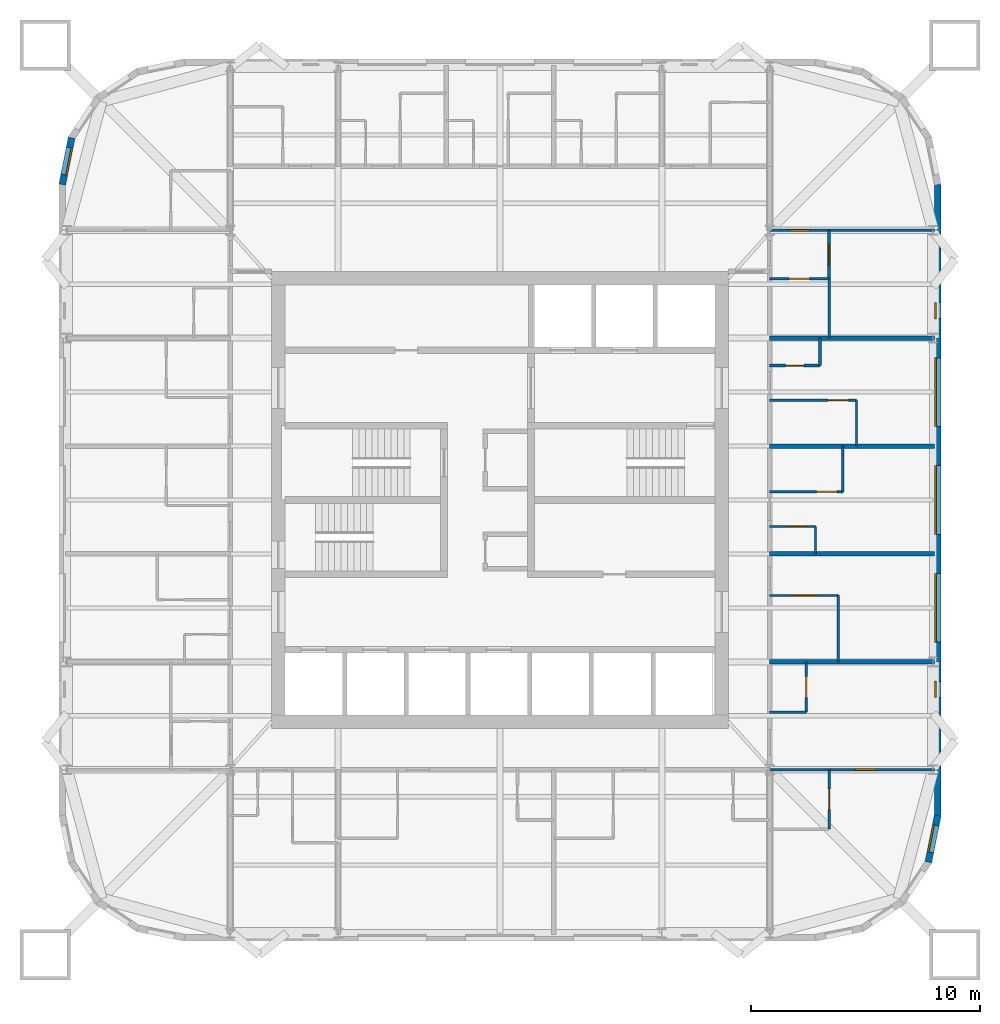
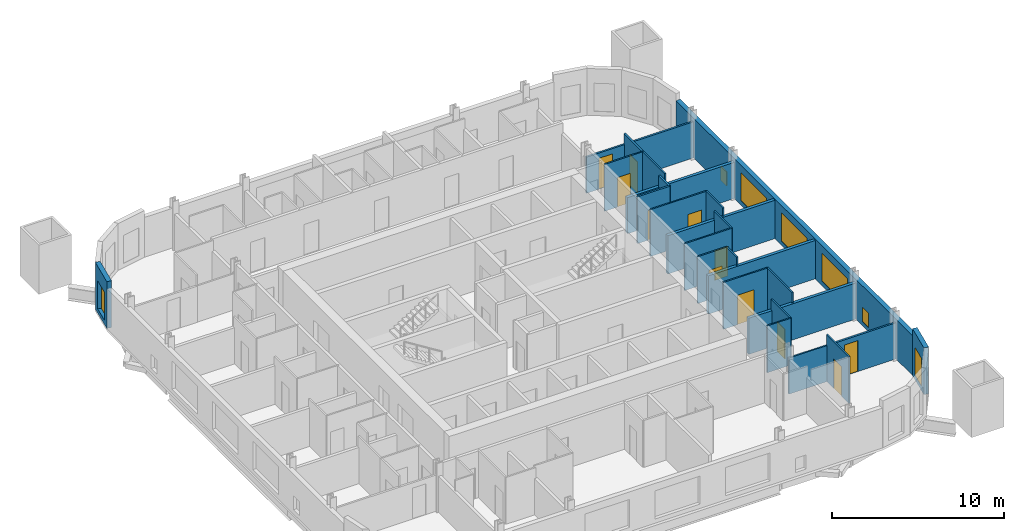
# One storey, part 6 of 9: 26 walls, 11 doors, 7 windows, 18 openings.
"""IFC4 building model written with IfcOpenShell, lengths in metres."""

from ifc_helpers import new_model, si_unit, direction, frame, frame_2d, origin, place, context, subcontext, project, spatial, rectangle, extrude, material, layer, layer_set, type_object, element, fill, save


model = new_model("IFC4")

# Units and contexts
model_context = context("Model", 3, precision=1e-05, world=origin(), true_north=direction((0.0, 1.0)))
body_context = subcontext(model_context, "Body", "Model", "MODEL_VIEW")
ifc_project = project(units=[si_unit("LENGTHUNIT", "METRE"), si_unit("AREAUNIT", "SQUARE_METRE"), si_unit("VOLUMEUNIT", "CUBIC_METRE"), si_unit("PLANEANGLEUNIT", "RADIAN"), si_unit("MASSUNIT", "GRAM", prefix="KILO")], contexts=[model_context])

# Site, building, storey
site_placement = place(None, origin())
site = spatial("IfcSite", under=ifc_project, at=site_placement, CompositionType="ELEMENT")
building_placement = place(site_placement, origin())
building = spatial("IfcBuilding", under=site, at=building_placement, Name="Turquesa Mirador Hotel Tower", CompositionType="ELEMENT")
storey_placement = place(building_placement, frame((0.0, 0.0, 175.800048828125)))
storey = spatial("IfcBuildingStorey", under=building, at=storey_placement, Name="L47", CompositionType="ELEMENT", Elevation=175.800048828125)

# Wall, opening, door
ifc_material_1 = material(Name="Gypsum board on steel studs", Category="steel")
ifc_layer_1 = layer(ifc_material_1, 0.10009765625)
ifc_layer_set_1 = layer_set([ifc_layer_1], Name="BATHROOM WALL 100")
wall_type_1 = type_object("IfcWallType", Name="BATHROOM WALL 100", PredefinedType="PARTITIONING", material=ifc_layer_set_1)
wall_1_placement = place(storey_placement, frame((66.800048828125, 43.840087890625, 0.0), z_axis=(0.0, 0.0, 1.0), x_axis=(1.0, 0.0, 0.0)))
wall_1 = element("IfcWall", 1, at=wall_1_placement, inside=storey, type_object=wall_type_1, Name="Partition L47 002", PredefinedType="PARTITIONING", context=body_context, shape_type="SweptSolid", body=[
    extrude(rectangle(XDim=2.0, YDim=0.10009765625, at=frame_2d((1.0, 0.0))), origin(), (0.0, 0.0, 1.0), 3.329833984375),
])
opening_1_placement = place(wall_1_placement, frame((0.75, 0.0, 0.0)))
opening_1 = element("IfcOpeningElement", 2, at=opening_1_placement, cuts=wall_1, Name="Opening D06", PredefinedType="OPENING", context=body_context, shape_type="SweptSolid", body=[
    extrude(rectangle(XDim=0.89990234375, YDim=2.10009765625, at=frame_2d((0.449951171875, 1.050048828125))), frame((0.0, 0.06005859375, 0.0), z_axis=(0.0, -1.0, 0.0), x_axis=(1.0, 0.0, 0.0)), (0.0, 0.0, 1.0), 0.1201171875),
])
ifc_material_2 = material(Name="Laminate door", Category="wood")
door_type_1 = type_object("IfcDoorType", Name="DOOR 900X2100 WC", OperationType="SINGLE_SWING_LEFT", PredefinedType="DOOR", material=ifc_material_2)
door_1_placement = place(opening_1_placement, origin())
door_1 = element("IfcDoor", 3, at=door_1_placement, inside=storey, type_object=door_type_1, Name="Door 4710W", OperationType="SINGLE_SWING_LEFT", OverallHeight=2.10009765625, OverallWidth=0.89990234375, PredefinedType="DOOR", context=body_context, shape_type="SweptSolid", body=[
    extrude(rectangle(XDim=0.89990234375, YDim=2.10009765625, at=frame_2d((0.449951171875, 1.050048828125))), frame((0.0, 0.02490234375, 0.0), z_axis=(0.0, -1.0, 0.0), x_axis=(1.0, 0.0, 0.0)), (0.0, 0.0, 1.0), 0.050048828125),
])
fill(opening_1, door_1)

# Wall
wall_2_placement = place(storey_placement, frame((66.800048828125, 33.199951171875, 0.0), z_axis=(0.0, 0.0, 1.0), x_axis=(1.0, 0.0, 0.0)))
element("IfcWall", 4, at=wall_2_placement, inside=storey, type_object=wall_type_1, Name="Partition L47 003", PredefinedType="PARTITIONING", context=body_context, shape_type="SweptSolid", body=[
    extrude(rectangle(XDim=2.599853515625, YDim=0.10009765625, at=frame_2d((1.2998046875, 0.0))), origin(), (0.0, 0.0, 1.0), 2.572998046875),
])

# Wall, opening, door
wall_3_placement = place(storey_placement, frame((66.800048828125, 40.820068359375, 0.0), z_axis=(0.0, 0.0, 1.0), x_axis=(1.0, 0.0, 0.0)))
wall_3 = element("IfcWall", 5, at=wall_3_placement, inside=storey, type_object=wall_type_1, Name="Partition L47 016", PredefinedType="PARTITIONING", context=body_context, shape_type="SweptSolid", body=[
    extrude(rectangle(XDim=3.0, YDim=0.10009765625, at=frame_2d((1.5, 0.0))), origin(), (0.0, 0.0, 1.0), 3.329833984375),
])
opening_2_placement = place(wall_3_placement, frame((0.949951171875, 0.0, 0.0)))
opening_2 = element("IfcOpeningElement", 6, at=opening_2_placement, cuts=wall_3, Name="Opening D16", PredefinedType="OPENING", context=body_context, shape_type="SweptSolid", body=[
    extrude(rectangle(XDim=1.10009765625, YDim=2.10009765625, at=frame_2d((0.550048828125, 1.050048828125))), frame((0.0, 0.06005859375, 0.0), z_axis=(0.0, -1.0, 0.0), x_axis=(1.0, 0.0, 0.0)), (0.0, 0.0, 1.0), 0.1201171875),
])
ifc_material_3 = material(Name="Timber veneered sliding door", Category="wood")
door_type_2 = type_object("IfcDoorType", Name="DOOR 1100X2100 ACCESSIBLE EN-SUITE", OperationType="SLIDING_TO_LEFT", PredefinedType="DOOR", material=ifc_material_3)
door_2_placement = place(opening_2_placement, origin())
door_2 = element("IfcDoor", 7, at=door_2_placement, inside=storey, type_object=door_type_2, Name="Door 4709B", OperationType="SLIDING_TO_LEFT", OverallHeight=2.10009765625, OverallWidth=1.10009765625, PredefinedType="DOOR", context=body_context, shape_type="SweptSolid", body=[
    extrude(rectangle(XDim=1.10009765625, YDim=2.10009765625, at=frame_2d((0.550048828125, 1.050048828125))), frame((0.0, 0.02490234375, 0.0), z_axis=(0.0, -1.0, 0.0), x_axis=(1.0, 0.0, 0.0)), (0.0, 0.0, 1.0), 0.050048828125),
])
fill(opening_2, door_2)

# Wall
wall_4_placement = place(storey_placement, frame((66.800048828125, 35.719970703125, 0.0), z_axis=(0.0, 0.0, 1.0), x_axis=(1.0, 0.0, 0.0)))
element("IfcWall", 8, at=wall_4_placement, inside=storey, type_object=wall_type_1, Name="Partition L47 021", PredefinedType="PARTITIONING", context=body_context, shape_type="SweptSolid", body=[
    extrude(rectangle(XDim=1.599853515625, YDim=0.10009765625, at=frame_2d((0.7998046875, 0.0))), origin(), (0.0, 0.0, 1.0), 3.329833984375),
])

# Wall, opening, door
wall_5_placement = place(storey_placement, frame((66.800048828125, 45.360107421875, 0.0), z_axis=(0.0, 0.0, 1.0), x_axis=(1.0, 0.0, 0.0)))
wall_5 = element("IfcWall", 9, at=wall_5_placement, inside=storey, type_object=wall_type_1, Name="Partition L47 023", PredefinedType="PARTITIONING", context=body_context, shape_type="SweptSolid", body=[
    extrude(rectangle(XDim=3.199951171875, YDim=0.10009765625, at=frame_2d((1.60009765625, 0.0))), origin(), (0.0, 0.0, 1.0), 3.329833984375),
])
opening_3_placement = place(wall_5_placement, frame((2.050048828125, 0.0, 0.0)))
opening_3 = element("IfcOpeningElement", 10, at=opening_3_placement, cuts=wall_5, Name="Opening D02", PredefinedType="OPENING", context=body_context, shape_type="SweptSolid", body=[
    extrude(rectangle(XDim=0.89990234375, YDim=2.10009765625, at=frame_2d((0.449951171875, 1.050048828125))), frame((0.0, 0.06005859375, 0.0), z_axis=(0.0, -1.0, 0.0), x_axis=(1.0, 0.0, 0.0)), (0.0, 0.0, 1.0), 0.1201171875),
])
ifc_material_4 = material(Name="Timber veneered door", Category="wood")
door_type_3 = type_object("IfcDoorType", Name="DOOR 900X2100 EN-SUITE", OperationType="SINGLE_SWING_RIGHT", PredefinedType="DOOR", material=ifc_material_4)
door_3_placement = place(opening_3_placement, origin())
door_3 = element("IfcDoor", 11, at=door_3_placement, inside=storey, type_object=door_type_3, Name="Door 4710B", OperationType="SINGLE_SWING_RIGHT", OverallHeight=2.10009765625, OverallWidth=0.89990234375, PredefinedType="DOOR", context=body_context, shape_type="SweptSolid", body=[
    extrude(rectangle(XDim=0.89990234375, YDim=2.10009765625, at=frame_2d((0.449951171875, 1.050048828125))), frame((0.0, 0.02490234375, 0.0), z_axis=(0.0, -1.0, 0.0), x_axis=(1.0, 0.0, 0.0)), (0.0, 0.0, 1.0), 0.050048828125),
])
fill(opening_3, door_3)

wall_6_placement = place(storey_placement, frame((66.800048828125, 49.360107421875, 0.0), z_axis=(0.0, 0.0, 1.0), x_axis=(1.0, 0.0, 0.0)))
wall_6 = element("IfcWall", 12, at=wall_6_placement, inside=storey, type_object=wall_type_1, Name="Partition L47 041", PredefinedType="PARTITIONING", context=body_context, shape_type="SweptSolid", body=[
    extrude(rectangle(XDim=3.800048828125, YDim=0.10009765625, at=frame_2d((1.89990234375, 0.0))), origin(), (0.0, 0.0, 1.0), 3.329833984375),
])
opening_4_placement = place(wall_6_placement, frame((2.550048828125, 0.0, 0.0)))
opening_4 = element("IfcOpeningElement", 13, at=opening_4_placement, cuts=wall_6, Name="Opening D02", PredefinedType="OPENING", context=body_context, shape_type="SweptSolid", body=[
    extrude(rectangle(XDim=0.89990234375, YDim=2.10009765625, at=frame_2d((0.449951171875, 1.050048828125))), frame((0.0, 0.06005859375, 0.0), z_axis=(0.0, -1.0, 0.0), x_axis=(1.0, 0.0, 0.0)), (0.0, 0.0, 1.0), 0.1201171875),
])
door_4_placement = place(opening_4_placement, origin())
door_4 = element("IfcDoor", 14, at=door_4_placement, inside=storey, type_object=door_type_3, Name="Door 4711B", OperationType="SINGLE_SWING_RIGHT", OverallHeight=2.10009765625, OverallWidth=0.89990234375, PredefinedType="DOOR", context=body_context, shape_type="SweptSolid", body=[
    extrude(rectangle(XDim=0.89990234375, YDim=2.10009765625, at=frame_2d((0.449951171875, 1.050048828125))), frame((0.0, 0.02490234375, 0.0), z_axis=(0.0, -1.0, 0.0), x_axis=(1.0, 0.0, 0.0)), (0.0, 0.0, 1.0), 0.050048828125),
])
fill(opening_4, door_4)

wall_7_placement = place(storey_placement, frame((66.800048828125, 54.679931640625, 0.0), z_axis=(0.0, 0.0, 1.0), x_axis=(1.0, 0.0, 0.0)))
wall_7 = element("IfcWall", 15, at=wall_7_placement, inside=storey, type_object=wall_type_1, Name="Partition L47 047", PredefinedType="PARTITIONING", context=body_context, shape_type="SweptSolid", body=[
    extrude(rectangle(XDim=2.599853515625, YDim=0.10009765625, at=frame_2d((1.2998046875, 0.0))), origin(), (0.0, 0.0, 1.0), 3.329833984375),
])
opening_5_placement = place(wall_7_placement, frame((0.85009765625, 0.0, 0.0)))
opening_5 = element("IfcOpeningElement", 16, at=opening_5_placement, cuts=wall_7, Name="Opening D02", PredefinedType="OPENING", context=body_context, shape_type="SweptSolid", body=[
    extrude(rectangle(XDim=0.89990234375, YDim=2.10009765625, at=frame_2d((0.449951171875, 1.050048828125))), frame((0.0, 0.06005859375, 0.0), z_axis=(0.0, -1.0, 0.0), x_axis=(1.0, 0.0, 0.0)), (0.0, 0.0, 1.0), 0.1201171875),
])
door_5_placement = place(opening_5_placement, origin())
door_5 = element("IfcDoor", 17, at=door_5_placement, inside=storey, type_object=door_type_3, Name="Door 4715B", OperationType="SINGLE_SWING_RIGHT", OverallHeight=2.10009765625, OverallWidth=0.89990234375, PredefinedType="DOOR", context=body_context, shape_type="SweptSolid", body=[
    extrude(rectangle(XDim=0.89990234375, YDim=2.10009765625, at=frame_2d((0.449951171875, 1.050048828125))), frame((0.0, 0.02490234375, 0.0), z_axis=(0.0, -1.0, 0.0), x_axis=(1.0, 0.0, 0.0)), (0.0, 0.0, 1.0), 0.050048828125),
])
fill(opening_5, door_5)

wall_8_placement = place(storey_placement, frame((68.39990234375, 35.719970703125, 0.0), z_axis=(0.0, 0.0, 1.0), x_axis=(0.0, 1.0, 0.0)))
wall_8 = element("IfcWall", 18, at=wall_8_placement, inside=storey, type_object=wall_type_1, Name="Partition L47 076", PredefinedType="PARTITIONING", context=body_context, shape_type="SweptSolid", body=[
    extrude(rectangle(XDim=2.199951171875, YDim=0.10009765625, at=frame_2d((1.10009765625, 0.0))), origin(), (0.0, 0.0, 1.0), 3.329833984375),
])
opening_6_placement = place(wall_8_placement, frame((0.64990234375, 0.0, 0.0)))
opening_6 = element("IfcOpeningElement", 19, at=opening_6_placement, cuts=wall_8, Name="Opening D06", PredefinedType="OPENING", context=body_context, shape_type="SweptSolid", body=[
    extrude(rectangle(XDim=0.89990234375, YDim=2.10009765625, at=frame_2d((0.449951171875, 1.050048828125))), frame((0.0, 0.06005859375, 0.0), z_axis=(0.0, -1.0, 0.0), x_axis=(1.0, 0.0, 0.0)), (0.0, 0.0, 1.0), 0.1201171875),
])
door_6_placement = place(opening_6_placement, origin())
door_6 = element("IfcDoor", 20, at=door_6_placement, inside=storey, type_object=door_type_1, Name="Door 4718W", OperationType="SINGLE_SWING_LEFT", OverallHeight=2.10009765625, OverallWidth=0.89990234375, PredefinedType="DOOR", context=body_context, shape_type="SweptSolid", body=[
    extrude(rectangle(XDim=0.89990234375, YDim=2.10009765625, at=frame_2d((0.449951171875, 1.050048828125))), frame((0.0, 0.02490234375, 0.0), z_axis=(0.0, -1.0, 0.0), x_axis=(1.0, 0.0, 0.0)), (0.0, 0.0, 1.0), 0.050048828125),
])
fill(opening_6, door_6)

# Wall
wall_9_placement = place(storey_placement, frame((68.800048828125, 42.639892578125, 0.0), z_axis=(0.0, 0.0, 1.0), x_axis=(0.0, 1.0, 0.0)))
element("IfcWall", 21, at=wall_9_placement, inside=storey, type_object=wall_type_1, Name="Partition L47 077", PredefinedType="PARTITIONING", context=body_context, shape_type="SweptSolid", body=[
    extrude(rectangle(XDim=1.2001953125, YDim=0.10009765625, at=frame_2d((0.60009765625, 0.0))), origin(), (0.0, 0.0, 1.0), 3.329833984375),
])

# Wall, opening, door
wall_10_placement = place(storey_placement, frame((69.39990234375, 30.60009765625, 0.0), z_axis=(0.0, 0.0, 1.0), x_axis=(0.0, 1.0, 0.0)))
wall_10 = element("IfcWall", 22, at=wall_10_placement, inside=storey, type_object=wall_type_1, Name="Partition L47 079", PredefinedType="PARTITIONING", context=body_context, shape_type="SweptSolid", body=[
    extrude(rectangle(XDim=2.599853515625, YDim=0.10009765625, at=frame_2d((1.2998046875, 0.0))), origin(), (0.0, 0.0, 1.0), 3.329833984375),
])
opening_7_placement = place(wall_10_placement, frame((0.85009765625, 0.0, 0.0)))
opening_7 = element("IfcOpeningElement", 23, at=opening_7_placement, cuts=wall_10, Name="Opening D02", PredefinedType="OPENING", context=body_context, shape_type="SweptSolid", body=[
    extrude(rectangle(XDim=0.89990234375, YDim=2.10009765625, at=frame_2d((0.449951171875, 1.050048828125))), frame((0.0, 0.06005859375, 0.0), z_axis=(0.0, -1.0, 0.0), x_axis=(1.0, 0.0, 0.0)), (0.0, 0.0, 1.0), 0.1201171875),
])
door_7_placement = place(opening_7_placement, origin())
door_7 = element("IfcDoor", 24, at=door_7_placement, inside=storey, type_object=door_type_3, Name="Door 4718B", OperationType="SINGLE_SWING_RIGHT", OverallHeight=2.10009765625, OverallWidth=0.89990234375, PredefinedType="DOOR", context=body_context, shape_type="SweptSolid", body=[
    extrude(rectangle(XDim=0.89990234375, YDim=2.10009765625, at=frame_2d((0.449951171875, 1.050048828125))), frame((0.0, 0.02490234375, 0.0), z_axis=(0.0, -1.0, 0.0), x_axis=(1.0, 0.0, 0.0)), (0.0, 0.0, 1.0), 0.050048828125),
])
fill(opening_7, door_7)

# Walls
wall_11_placement = place(storey_placement, frame((69.39990234375, 52.080078125, 0.0), z_axis=(0.0, 0.0, 1.0), x_axis=(0.0, 1.0, 0.0)))
element("IfcWall", 25, at=wall_11_placement, inside=storey, type_object=wall_type_1, Name="Partition L47 080", PredefinedType="PARTITIONING", context=body_context, shape_type="SweptSolid", body=[
    extrude(rectangle(XDim=2.599853515625, YDim=0.10009765625, at=frame_2d((1.2998046875, 0.0))), origin(), (0.0, 0.0, 1.0), 3.329833984375),
])
wall_12_placement = place(storey_placement, frame((69.800048828125, 37.919921875, 0.0), z_axis=(0.0, 0.0, 1.0), x_axis=(0.0, 1.0, 0.0)))
element("IfcWall", 26, at=wall_12_placement, inside=storey, type_object=wall_type_1, Name="Partition L47 082", PredefinedType="PARTITIONING", context=body_context, shape_type="SweptSolid", body=[
    extrude(rectangle(XDim=2.900146484375, YDim=0.10009765625, at=frame_2d((1.4501953125, 0.0))), origin(), (0.0, 0.0, 1.0), 3.329833984375),
])
for number, where, z_axis, x_axis, name in (
    (27, (70.0, 45.360107421875, 0.0), (0.0, 0.0, 1.0), (0.0, 1.0, 0.0), "Partition L47 083"),
    (28, (70.60009765625, 47.360107421875, 0.0), (0.0, 0.0, 1.0), (0.0, 1.0, 0.0), "Partition L47 084"),
):
    element("IfcWall", number, at=place(storey_placement, frame(where, z_axis=z_axis, x_axis=x_axis)), inside=storey, type_object=wall_type_1, Name=name, PredefinedType="PARTITIONING", context=body_context, shape_type="SweptSolid", body=[
        extrude(rectangle(XDim=2.0, YDim=0.10009765625, at=frame_2d((1.0, 0.0))), origin(), (0.0, 0.0, 1.0), 3.329833984375),
    ])

# Wall, opening, window
ifc_material_5 = material(Name="Limestone cladding on concrete block", Category="masonry")
ifc_layer_2 = layer(ifc_material_5, 0.300048828125)
ifc_layer_set_2 = layer_set([ifc_layer_2], Name="FACADE WALL 300 STONE SCREEN")
wall_type_2 = type_object("IfcWallType", Name="FACADE WALL 300 STONE SCREEN", PredefinedType="SOLIDWALL", material=ifc_layer_set_2)
wall_13_placement = place(storey_placement, frame((73.74267578125, 29.152587890625, 0.0), z_axis=(0.0, 0.0, 1.0), x_axis=(0.195081421501, 0.980787050784, 0.0)))
wall_13 = element("IfcWall", 29, at=wall_13_placement, inside=storey, type_object=wall_type_2, Name="Facade wall L47 03", PredefinedType="SOLIDWALL", context=body_context, shape_type="SweptSolid", body=[
    extrude(rectangle(XDim=2.08740234375, YDim=0.300048828125, at=frame_2d((1.043701171875, 0.0))), origin(), (0.0, 0.0, 1.0), 3.329833984375),
])
opening_8_placement = place(wall_13_placement, frame((0.443603515625, 0.0, 0.300048828125)))
opening_8 = element("IfcOpeningElement", 30, at=opening_8_placement, cuts=wall_13, Name="Opening WN4", PredefinedType="OPENING", context=body_context, shape_type="SweptSolid", body=[
    extrude(rectangle(XDim=1.199951171875, YDim=2.0, at=frame_2d((0.60009765625, 1.0))), frame((0.0, 0.159912109375, 0.0), z_axis=(0.0, -1.0, 0.0), x_axis=(1.0, 0.0, 0.0)), (0.0, 0.0, 1.0), 0.320068359375),
])
ifc_material_6 = material(Name="Ceramic-fritted laminated glass", Category="glass")
window_type_1 = type_object("IfcWindowType", Name="FRITTED CORNER WINDOW 1200X2000", PartitioningType="DOUBLE_PANEL_HORIZONTAL", PredefinedType="WINDOW", material=ifc_material_6)
window_1_placement = place(opening_8_placement, origin())
window_1 = element("IfcWindow", 31, at=window_1_placement, inside=storey, type_object=window_type_1, Name="Window L47", OverallHeight=2.0, OverallWidth=1.199951171875, PartitioningType="SINGLE_PANEL", PredefinedType="WINDOW", context=body_context, shape_type="SweptSolid", body=[
    extrude(rectangle(XDim=1.199951171875, YDim=2.0, at=frame_2d((0.60009765625, 1.0))), frame((0.0, 0.130126953125, 0.0), z_axis=(0.0, -1.0, 0.0), x_axis=(1.0, 0.0, 0.0)), (0.0, 0.0, 1.0), 0.06005859375),
])
fill(opening_8, window_1)

# Wall, openings, windows
wall_14_placement = place(storey_placement, frame((74.14990234375, 31.199951171875, 0.0), z_axis=(0.0, 0.0, 1.0), x_axis=(0.0, 1.0, 0.0)))
wall_14 = element("IfcWall", 32, at=wall_14_placement, inside=storey, type_object=wall_type_2, Name="Facade wall L47 04", PredefinedType="SOLIDWALL", context=body_context, shape_type="SweptSolid", body=[
    extrude(rectangle(XDim=27.60009765625, YDim=0.300048828125, at=frame_2d((13.800048828125, 0.0))), origin(), (0.0, 0.0, 1.0), 2.829833984375),
])
opening_9_placement = place(wall_14_placement, frame((5.159912109375, 0.0, 0.300048828125)))
opening_9 = element("IfcOpeningElement", 33, at=opening_9_placement, cuts=wall_14, Name="Opening WN32", PredefinedType="OPENING", context=body_context, shape_type="SweptSolid", body=[
    extrude(rectangle(XDim=0.699951171875, YDim=1.0, at=frame_2d((0.35009765625, 0.5))), frame((0.0, 0.159912109375, 0.0), z_axis=(0.0, -1.0, 0.0), x_axis=(1.0, 0.0, 0.0)), (0.0, 0.0, 1.0), 0.320068359375),
])
opening_10_placement = place(wall_14_placement, frame((7.580078125, 0.0, 0.300048828125)))
opening_10 = element("IfcOpeningElement", 34, at=opening_10_placement, cuts=wall_14, Name="Opening WN1", PredefinedType="OPENING", context=body_context, shape_type="SweptSolid", body=[
    extrude(rectangle(XDim=3.0, YDim=2.0, at=frame_2d((1.5, 1.0))), frame((0.0, 0.159912109375, 0.0), z_axis=(0.0, -1.0, 0.0), x_axis=(1.0, 0.0, 0.0)), (0.0, 0.0, 1.0), 0.320068359375),
])
opening_11_placement = place(wall_14_placement, frame((12.300048828125, 0.0, 0.300048828125)))
opening_11 = element("IfcOpeningElement", 35, at=opening_11_placement, cuts=wall_14, Name="Opening WN1", PredefinedType="OPENING", context=body_context, shape_type="SweptSolid", body=[
    extrude(rectangle(XDim=3.0, YDim=2.0, at=frame_2d((1.5, 1.0))), frame((0.0, 0.159912109375, 0.0), z_axis=(0.0, -1.0, 0.0), x_axis=(1.0, 0.0, 0.0)), (0.0, 0.0, 1.0), 0.320068359375),
])
opening_12_placement = place(wall_14_placement, frame((17.02001953125, 0.0, 0.300048828125)))
opening_12 = element("IfcOpeningElement", 36, at=opening_12_placement, cuts=wall_14, Name="Opening WN1", PredefinedType="OPENING", context=body_context, shape_type="SweptSolid", body=[
    extrude(rectangle(XDim=3.0, YDim=2.0, at=frame_2d((1.5, 1.0))), frame((0.0, 0.159912109375, 0.0), z_axis=(0.0, -1.0, 0.0), x_axis=(1.0, 0.0, 0.0)), (0.0, 0.0, 1.0), 0.320068359375),
])
opening_13_placement = place(wall_14_placement, frame((21.739990234375, 0.0, 0.300048828125)))
opening_13 = element("IfcOpeningElement", 37, at=opening_13_placement, cuts=wall_14, Name="Opening WN32", PredefinedType="OPENING", context=body_context, shape_type="SweptSolid", body=[
    extrude(rectangle(XDim=0.699951171875, YDim=1.0, at=frame_2d((0.35009765625, 0.5))), frame((0.0, 0.159912109375, 0.0), z_axis=(0.0, -1.0, 0.0), x_axis=(1.0, 0.0, 0.0)), (0.0, 0.0, 1.0), 0.320068359375),
])
ifc_material_7 = material(Name="Ceramic-fritted laminated glass", Category="glass")
window_type_2 = type_object("IfcWindowType", Name="FRITTED WINDOW 3000X2000", PartitioningType="DOUBLE_PANEL_HORIZONTAL", PredefinedType="WINDOW", material=ifc_material_7)
window_2_placement = place(opening_10_placement, origin())
window_2 = element("IfcWindow", 38, at=window_2_placement, inside=storey, type_object=window_type_2, Name="Window L47", OverallHeight=2.0, OverallWidth=3.0, PartitioningType="SINGLE_PANEL", PredefinedType="WINDOW", context=body_context, shape_type="SweptSolid", body=[
    extrude(rectangle(XDim=3.0, YDim=2.0, at=frame_2d((1.5, 1.0))), frame((0.0, 0.130126953125, 0.0), z_axis=(0.0, -1.0, 0.0), x_axis=(1.0, 0.0, 0.0)), (0.0, 0.0, 1.0), 0.06005859375),
])
fill(opening_10, window_2)
window_3_placement = place(opening_11_placement, origin())
window_3 = element("IfcWindow", 39, at=window_3_placement, inside=storey, type_object=window_type_2, Name="Window L47", OverallHeight=2.0, OverallWidth=3.0, PartitioningType="SINGLE_PANEL", PredefinedType="WINDOW", context=body_context, shape_type="SweptSolid", body=[
    extrude(rectangle(XDim=3.0, YDim=2.0, at=frame_2d((1.5, 1.0))), frame((0.0, 0.130126953125, 0.0), z_axis=(0.0, -1.0, 0.0), x_axis=(1.0, 0.0, 0.0)), (0.0, 0.0, 1.0), 0.06005859375),
])
fill(opening_11, window_3)
window_4_placement = place(opening_12_placement, origin())
window_4 = element("IfcWindow", 40, at=window_4_placement, inside=storey, type_object=window_type_2, Name="Window L47", OverallHeight=2.0, OverallWidth=3.0, PartitioningType="SINGLE_PANEL", PredefinedType="WINDOW", context=body_context, shape_type="SweptSolid", body=[
    extrude(rectangle(XDim=3.0, YDim=2.0, at=frame_2d((1.5, 1.0))), frame((0.0, 0.130126953125, 0.0), z_axis=(0.0, -1.0, 0.0), x_axis=(1.0, 0.0, 0.0)), (0.0, 0.0, 1.0), 0.06005859375),
])
fill(opening_12, window_4)
ifc_material_8 = material(Name="Ceramic-fritted laminated glass", Category="glass")
window_type_3 = type_object("IfcWindowType", Name="FRITTED WINDOW 700X1000", PartitioningType="DOUBLE_PANEL_HORIZONTAL", PredefinedType="WINDOW", material=ifc_material_8)
window_5_placement = place(opening_9_placement, origin())
window_5 = element("IfcWindow", 41, at=window_5_placement, inside=storey, type_object=window_type_3, Name="Window L47", OverallHeight=1.0, OverallWidth=0.699951171875, PartitioningType="SINGLE_PANEL", PredefinedType="WINDOW", context=body_context, shape_type="SweptSolid", body=[
    extrude(rectangle(XDim=0.699951171875, YDim=1.0, at=frame_2d((0.35009765625, 0.5))), frame((0.0, 0.130126953125, 0.0), z_axis=(0.0, -1.0, 0.0), x_axis=(1.0, 0.0, 0.0)), (0.0, 0.0, 1.0), 0.06005859375),
])
fill(opening_9, window_5)
window_6_placement = place(opening_13_placement, origin())
window_6 = element("IfcWindow", 42, at=window_6_placement, inside=storey, type_object=window_type_3, Name="Window L47", OverallHeight=1.0, OverallWidth=0.699951171875, PartitioningType="SINGLE_PANEL", PredefinedType="WINDOW", context=body_context, shape_type="SweptSolid", body=[
    extrude(rectangle(XDim=0.699951171875, YDim=1.0, at=frame_2d((0.35009765625, 0.5))), frame((0.0, 0.130126953125, 0.0), z_axis=(0.0, -1.0, 0.0), x_axis=(1.0, 0.0, 0.0)), (0.0, 0.0, 1.0), 0.06005859375),
])
fill(opening_13, window_6)

# Wall, opening, window
wall_15_placement = place(storey_placement, frame((36.25732421875, 60.847412109375, 0.0), z_axis=(0.0, 0.0, 1.0), x_axis=(-0.195081421501, -0.980787050784, 0.0)))
wall_15 = element("IfcWall", 43, at=wall_15_placement, inside=storey, type_object=wall_type_2, Name="Facade wall L47 13", PredefinedType="SOLIDWALL", context=body_context, shape_type="SweptSolid", body=[
    extrude(rectangle(XDim=2.08740234375, YDim=0.300048828125, at=frame_2d((1.043701171875, 0.0))), origin(), (0.0, 0.0, 1.0), 3.329833984375),
])
opening_14_placement = place(wall_15_placement, frame((0.443603515625, 0.0, 0.300048828125)))
opening_14 = element("IfcOpeningElement", 44, at=opening_14_placement, cuts=wall_15, Name="Opening WN4", PredefinedType="OPENING", context=body_context, shape_type="SweptSolid", body=[
    extrude(rectangle(XDim=1.199951171875, YDim=2.0, at=frame_2d((0.60009765625, 1.0))), frame((0.0, 0.159912109375, 0.0), z_axis=(0.0, -1.0, 0.0), x_axis=(1.0, 0.0, 0.0)), (0.0, 0.0, 1.0), 0.320068359375),
])
window_7_placement = place(opening_14_placement, origin())
window_7 = element("IfcWindow", 45, at=window_7_placement, inside=storey, type_object=window_type_1, Name="Window L47", OverallHeight=2.0, OverallWidth=1.199951171875, PartitioningType="SINGLE_PANEL", PredefinedType="WINDOW", context=body_context, shape_type="SweptSolid", body=[
    extrude(rectangle(XDim=1.199951171875, YDim=2.0, at=frame_2d((0.60009765625, 1.0))), frame((0.0, 0.130126953125, 0.0), z_axis=(0.0, -1.0, 0.0), x_axis=(1.0, 0.0, 0.0)), (0.0, 0.0, 1.0), 0.06005859375),
])
fill(opening_14, window_7)

# Walls
ifc_material_9 = material(Name="Fire-rated gypsum board on steel studs", Category="steel")
ifc_layer_3 = layer(ifc_material_9, 0.199951171875)
ifc_layer_set_3 = layer_set([ifc_layer_3], Name="PARTY WALL 200")
wall_type_3 = type_object("IfcWallType", Name="PARTY WALL 200", PredefinedType="PARTITIONING", material=ifc_layer_set_3)
wall_16_placement = place(storey_placement, frame((66.800048828125, 42.639892578125, 0.0), z_axis=(0.0, 0.0, 1.0), x_axis=(1.0, 0.0, 0.0)))
element("IfcWall", 46, at=wall_16_placement, inside=storey, type_object=wall_type_3, Name="Partition L47 015", PredefinedType="PARTITIONING", context=body_context, shape_type="SweptSolid", body=[
    extrude(rectangle(XDim=7.199951171875, YDim=0.199951171875, at=frame_2d((3.60009765625, 0.0))), origin(), (0.0, 0.0, 1.0), 2.73046875),
])
wall_17_placement = place(storey_placement, frame((66.800048828125, 37.919921875, 0.0), z_axis=(0.0, 0.0, 1.0), x_axis=(1.0, 0.0, 0.0)))
element("IfcWall", 47, at=wall_17_placement, inside=storey, type_object=wall_type_3, Name="Partition L47 020", PredefinedType="PARTITIONING", context=body_context, shape_type="SweptSolid", body=[
    extrude(rectangle(XDim=7.199951171875, YDim=0.199951171875, at=frame_2d((3.60009765625, 0.0))), origin(), (0.0, 0.0, 1.0), 2.572998046875),
])
wall_18_placement = place(storey_placement, frame((66.800048828125, 47.360107421875, 0.0), z_axis=(0.0, 0.0, 1.0), x_axis=(1.0, 0.0, 0.0)))
element("IfcWall", 48, at=wall_18_placement, inside=storey, type_object=wall_type_3, Name="Partition L47 040", PredefinedType="PARTITIONING", context=body_context, shape_type="SweptSolid", body=[
    extrude(rectangle(XDim=7.199951171875, YDim=0.199951171875, at=frame_2d((3.60009765625, 0.0))), origin(), (0.0, 0.0, 1.0), 2.73046875),
])
wall_19_placement = place(storey_placement, frame((66.800048828125, 52.080078125, 0.0), z_axis=(0.0, 0.0, 1.0), x_axis=(1.0, 0.0, 0.0)))
element("IfcWall", 49, at=wall_19_placement, inside=storey, type_object=wall_type_3, Name="Partition L47 045", PredefinedType="PARTITIONING", context=body_context, shape_type="SweptSolid", body=[
    extrude(rectangle(XDim=7.199951171875, YDim=0.199951171875, at=frame_2d((3.60009765625, 0.0))), origin(), (0.0, 0.0, 1.0), 2.572998046875),
])

# Wall, opening, door
ifc_material_10 = material(Name="Acoustic gypsum board on steel studs", Category="steel")
ifc_layer_4 = layer(ifc_material_10, 0.125)
ifc_layer_set_4 = layer_set([ifc_layer_4], Name="SUITE PARTITION 125")
wall_type_4 = type_object("IfcWallType", Name="SUITE PARTITION 125", PredefinedType="PARTITIONING", material=ifc_layer_set_4)
wall_20_placement = place(storey_placement, frame((69.39990234375, 33.199951171875, 0.0), z_axis=(0.0, 0.0, 1.0), x_axis=(1.0, 0.0, 0.0)))
wall_20 = element("IfcWall", 50, at=wall_20_placement, inside=storey, type_object=wall_type_4, Name="Partition L47 006", PredefinedType="PARTITIONING", context=body_context, shape_type="SweptSolid", body=[
    extrude(rectangle(XDim=4.60009765625, YDim=0.125, at=frame_2d((2.300048828125, 0.0))), origin(), (0.0, 0.0, 1.0), 2.572998046875),
])
opening_15_placement = place(wall_20_placement, frame((1.14990234375, 0.0, 0.0)))
opening_15 = element("IfcOpeningElement", 51, at=opening_15_placement, cuts=wall_20, Name="Opening D17", PredefinedType="OPENING", context=body_context, shape_type="SweptSolid", body=[
    extrude(rectangle(XDim=0.89990234375, YDim=2.199951171875, at=frame_2d((0.449951171875, 1.10009765625))), frame((0.0, 0.072509765625, 0.0), z_axis=(0.0, -1.0, 0.0), x_axis=(1.0, 0.0, 0.0)), (0.0, 0.0, 1.0), 0.14501953125),
])
ifc_material_11 = material(Name="Timber veneered door", Category="wood")
door_type_4 = type_object("IfcDoorType", Name="DOOR 900X2200 SUITE INTERNAL", OperationType="SINGLE_SWING_LEFT", PredefinedType="DOOR", material=ifc_material_11)
door_8_placement = place(opening_15_placement, origin())
door_8 = element("IfcDoor", 52, at=door_8_placement, inside=storey, type_object=door_type_4, Name="Door 4718R", OperationType="SINGLE_SWING_LEFT", OverallHeight=2.199951171875, OverallWidth=0.89990234375, PredefinedType="DOOR", context=body_context, shape_type="SweptSolid", body=[
    extrude(rectangle(XDim=0.89990234375, YDim=2.199951171875, at=frame_2d((0.449951171875, 1.10009765625))), frame((0.0, 0.02490234375, 0.0), z_axis=(0.0, -1.0, 0.0), x_axis=(1.0, 0.0, 0.0)), (0.0, 0.0, 1.0), 0.050048828125),
])
fill(opening_15, door_8)

wall_21_placement = place(storey_placement, frame((66.800048828125, 56.800048828125, 0.0), z_axis=(0.0, 0.0, 1.0), x_axis=(1.0, 0.0, 0.0)))
wall_21 = element("IfcWall", 53, at=wall_21_placement, inside=storey, type_object=wall_type_4, Name="Partition L47 028", PredefinedType="PARTITIONING", context=body_context, shape_type="SweptSolid", body=[
    extrude(rectangle(XDim=7.199951171875, YDim=0.125, at=frame_2d((3.60009765625, 0.0))), origin(), (0.0, 0.0, 1.0), 2.572998046875),
])
opening_16_placement = place(wall_21_placement, frame((0.85009765625, 0.0, 0.0)))
opening_16 = element("IfcOpeningElement", 54, at=opening_16_placement, cuts=wall_21, Name="Opening D17", PredefinedType="OPENING", context=body_context, shape_type="SweptSolid", body=[
    extrude(rectangle(XDim=0.89990234375, YDim=2.199951171875, at=frame_2d((0.449951171875, 1.10009765625))), frame((0.0, 0.072509765625, 0.0), z_axis=(0.0, -1.0, 0.0), x_axis=(1.0, 0.0, 0.0)), (0.0, 0.0, 1.0), 0.14501953125),
])
door_9_placement = place(opening_16_placement, origin())
door_9 = element("IfcDoor", 55, at=door_9_placement, inside=storey, type_object=door_type_4, Name="Door 4715", OperationType="SINGLE_SWING_LEFT", OverallHeight=2.199951171875, OverallWidth=0.89990234375, PredefinedType="DOOR", context=body_context, shape_type="SweptSolid", body=[
    extrude(rectangle(XDim=0.89990234375, YDim=2.199951171875, at=frame_2d((0.449951171875, 1.10009765625))), frame((0.0, 0.02490234375, 0.0), z_axis=(0.0, -1.0, 0.0), x_axis=(1.0, 0.0, 0.0)), (0.0, 0.0, 1.0), 0.050048828125),
])
fill(opening_16, door_9)

wall_22_placement = place(storey_placement, frame((66.800048828125, 50.8798828125, 0.0), z_axis=(0.0, 0.0, 1.0), x_axis=(1.0, 0.0, 0.0)))
wall_22 = element("IfcWall", 56, at=wall_22_placement, inside=storey, type_object=wall_type_4, Name="Partition L47 043", PredefinedType="PARTITIONING", context=body_context, shape_type="SweptSolid", body=[
    extrude(rectangle(XDim=2.199951171875, YDim=0.125, at=frame_2d((1.10009765625, 0.0))), origin(), (0.0, 0.0, 1.0), 3.329833984375),
])
opening_17_placement = place(wall_22_placement, frame((0.699951171875, 0.0, 0.0)))
opening_17 = element("IfcOpeningElement", 57, at=opening_17_placement, cuts=wall_22, Name="Opening D20", PredefinedType="OPENING", context=body_context, shape_type="SweptSolid", body=[
    extrude(rectangle(XDim=0.800048828125, YDim=2.10009765625, at=frame_2d((0.39990234375, 1.050048828125))), frame((0.0, 0.072509765625, 0.0), z_axis=(0.0, -1.0, 0.0), x_axis=(1.0, 0.0, 0.0)), (0.0, 0.0, 1.0), 0.14501953125),
])
ifc_material_12 = material(Name="Timber veneered sliding door", Category="wood")
door_type_5 = type_object("IfcDoorType", Name="DOOR 800X2100 WARDROBE", OperationType="SLIDING_TO_LEFT", PredefinedType="DOOR", material=ifc_material_12)
door_10_placement = place(opening_17_placement, origin())
door_10 = element("IfcDoor", 58, at=door_10_placement, inside=storey, type_object=door_type_5, Name="Door 4711W", OperationType="SLIDING_TO_LEFT", OverallHeight=2.10009765625, OverallWidth=0.800048828125, PredefinedType="DOOR", context=body_context, shape_type="SweptSolid", body=[
    extrude(rectangle(XDim=0.800048828125, YDim=2.10009765625, at=frame_2d((0.39990234375, 1.050048828125))), frame((0.0, 0.02490234375, 0.0), z_axis=(0.0, -1.0, 0.0), x_axis=(1.0, 0.0, 0.0)), (0.0, 0.0, 1.0), 0.050048828125),
])
fill(opening_17, door_10)

# Wall
wall_23_placement = place(storey_placement, frame((69.0, 50.8798828125, 0.0), z_axis=(0.0, 0.0, 1.0), x_axis=(0.0, 1.0, 0.0)))
element("IfcWall", 59, at=wall_23_placement, inside=storey, type_object=wall_type_4, Name="Partition L47 078", PredefinedType="PARTITIONING", context=body_context, shape_type="SweptSolid", body=[
    extrude(rectangle(XDim=1.2001953125, YDim=0.125, at=frame_2d((0.60009765625, 0.0))), origin(), (0.0, 0.0, 1.0), 3.329833984375),
])

# Wall, opening, door
wall_24_placement = place(storey_placement, frame((69.39990234375, 54.679931640625, 0.0), z_axis=(0.0, 0.0, 1.0), x_axis=(0.0, 1.0, 0.0)))
wall_24 = element("IfcWall", 60, at=wall_24_placement, inside=storey, type_object=wall_type_4, Name="Partition L47 081", PredefinedType="PARTITIONING", context=body_context, shape_type="SweptSolid", body=[
    extrude(rectangle(XDim=2.1201171875, YDim=0.125, at=frame_2d((1.06005859375, 0.0))), origin(), (0.0, 0.0, 1.0), 3.329833984375),
])
opening_18_placement = place(wall_24_placement, frame((0.610107421875, 0.0, 0.0)))
opening_18 = element("IfcOpeningElement", 61, at=opening_18_placement, cuts=wall_24, Name="Opening D17", PredefinedType="OPENING", context=body_context, shape_type="SweptSolid", body=[
    extrude(rectangle(XDim=0.89990234375, YDim=2.199951171875, at=frame_2d((0.449951171875, 1.10009765625))), frame((0.0, 0.072509765625, 0.0), z_axis=(0.0, -1.0, 0.0), x_axis=(1.0, 0.0, 0.0)), (0.0, 0.0, 1.0), 0.14501953125),
])
door_11_placement = place(opening_18_placement, origin())
door_11 = element("IfcDoor", 62, at=door_11_placement, inside=storey, type_object=door_type_4, Name="Door 4715R", OperationType="SINGLE_SWING_LEFT", OverallHeight=2.199951171875, OverallWidth=0.89990234375, PredefinedType="DOOR", context=body_context, shape_type="SweptSolid", body=[
    extrude(rectangle(XDim=0.89990234375, YDim=2.199951171875, at=frame_2d((0.449951171875, 1.10009765625))), frame((0.0, 0.02490234375, 0.0), z_axis=(0.0, -1.0, 0.0), x_axis=(1.0, 0.0, 0.0)), (0.0, 0.0, 1.0), 0.050048828125),
])
fill(opening_18, door_11)

save(model, "model.ifc")
